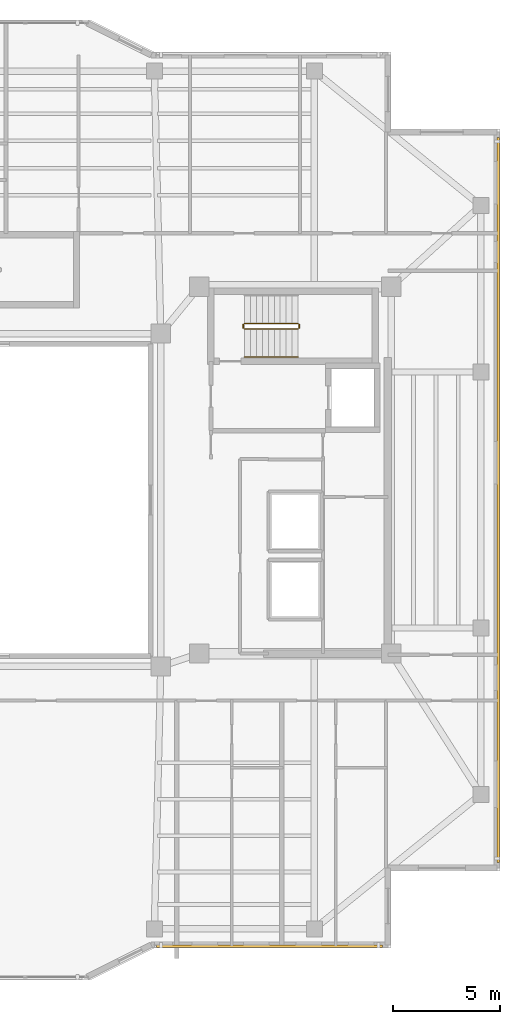
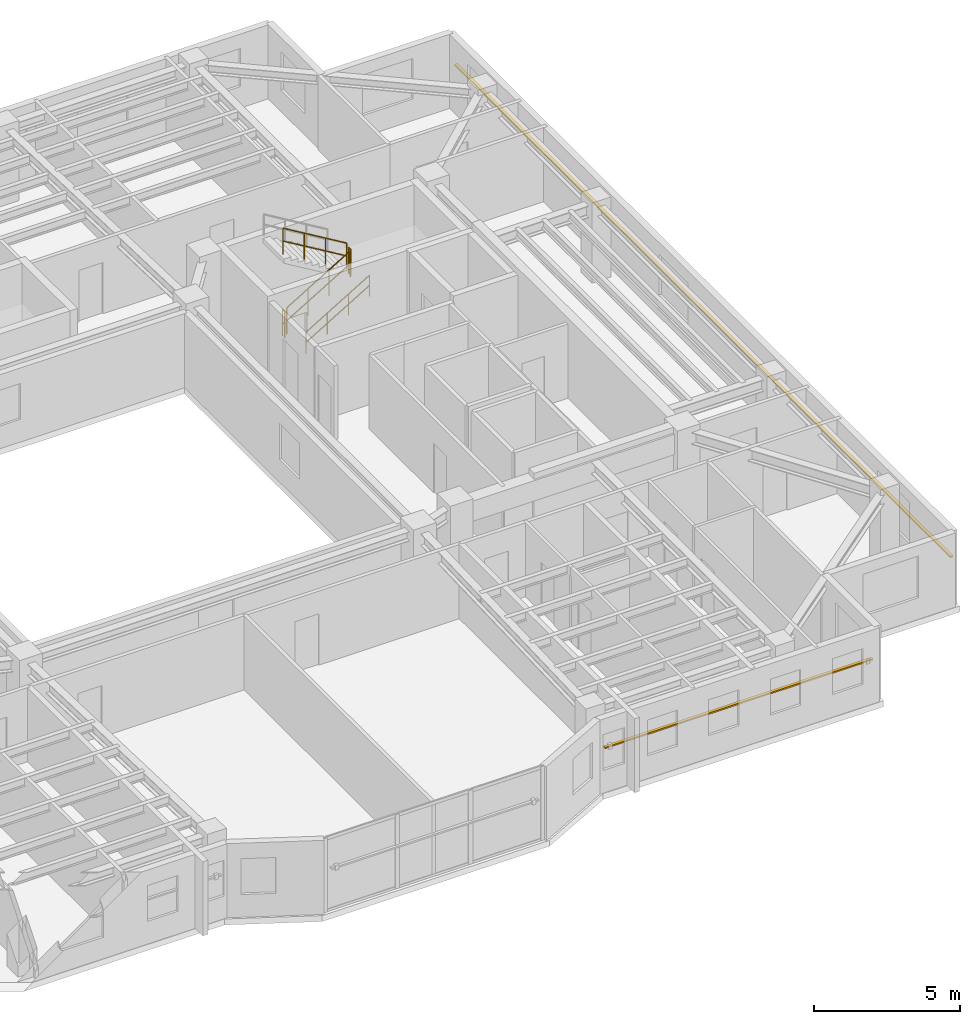
# One storey, part 12 of 13: 5 railings, 2 shading devices.
"""IFC4 building model written with IfcOpenShell, lengths in metres."""

from ifc_helpers import new_model, si_unit, direction, frame, origin, origin_2d, place, context, subcontext, project, spatial, rectangle, circle, extrude, material, material_profile, profile_set, type_object, element, save


model = new_model("IFC4")

# Units and contexts
model_context = context("Model", 3, precision=1e-05, world=origin(), true_north=direction((0.0, 1.0)))
body_context = subcontext(model_context, "Body", "Model", "MODEL_VIEW")
ifc_project = project(units=[si_unit("LENGTHUNIT", "METRE"), si_unit("AREAUNIT", "SQUARE_METRE"), si_unit("VOLUMEUNIT", "CUBIC_METRE"), si_unit("PLANEANGLEUNIT", "RADIAN"), si_unit("MASSUNIT", "GRAM", prefix="KILO")], contexts=[model_context])

# Site, building, storey
site_placement = place(None, origin())
site = spatial("IfcSite", under=ifc_project, at=site_placement, CompositionType="ELEMENT")
building_placement = place(site_placement, origin())
building = spatial("IfcBuilding", under=site, at=building_placement, Name="Tarnavaz Court Tower", CompositionType="ELEMENT")
storey_placement = place(building_placement, frame((0.0, 0.0, 196.949951171875)))
storey = spatial("IfcBuildingStorey", under=building, at=storey_placement, Name="L53", CompositionType="ELEMENT", Elevation=196.949951171875)

# Railings
ifc_material_1 = material(Name="Brushed Stainless Steel", Category="steel")
railing_type_1 = type_object("IfcRailingType", Name="RL-HANDRAIL-900", PredefinedType="HANDRAIL", material=ifc_material_1)
railing_1_placement = place(storey_placement, frame((11.719970703125, 6.699951171875, 0.16748046875)))
element("IfcRailing", 1, at=railing_1_placement, inside=storey, type_object=railing_type_1, Name="L53 ST-E1 stair handrail 1", PredefinedType="HANDRAIL", context=body_context, shape_type="SweptSolid", body=[
    extrude(circle(Radius=0.02392578125, at=origin_2d()), frame((0.0, 0.0, 0.8759765625), z_axis=(0.858159760407, 0.0, 0.513382728203), x_axis=(0.0, 1.0, 0.0)), (0.0, 0.0, 1.0), 2.9365234375),
    extrude(circle(Radius=0.02392578125, at=origin_2d()), frame((0.0, 0.0, 0.449951171875), z_axis=(0.858159760407, 0.0, 0.513382728203), x_axis=(0.0, 1.0, 0.0)), (0.0, 0.0, 1.0), 2.9365234375),
    extrude(circle(Radius=0.02099609375, at=origin_2d()), origin(), (0.0, 0.0, 1.0), 0.851806640625),
    extrude(circle(Radius=0.02099609375, at=origin_2d()), frame((0.840087890625, 0.0, 0.50244140625)), (0.0, 0.0, 1.0), 0.851806640625),
    extrude(circle(Radius=0.02099609375, at=origin_2d()), frame((1.679931640625, 0.0, 1.005126953125)), (0.0, 0.0, 1.0), 0.851806640625),
    extrude(circle(Radius=0.02099609375, at=origin_2d()), frame((2.52001953125, 0.0, 1.507568359375)), (0.0, 0.0, 1.0), 0.851806640625),
])
ifc_material_2 = material(Name="Galvanized Painted Tubular Steel", Category="steel")
railing_type_2 = type_object("IfcRailingType", Name="RL-STGUARD-1120", PredefinedType="GUARDRAIL", material=ifc_material_2)
railing_2_placement = place(storey_placement, frame((11.719970703125, 8.02001953125, 0.16748046875)))
element("IfcRailing", 2, at=railing_2_placement, inside=storey, type_object=railing_type_2, Name="L53 ST-E1 stair guard 1", PredefinedType="GUARDRAIL", context=body_context, shape_type="SweptSolid", body=[
    extrude(circle(Radius=0.02392578125, at=origin_2d()), frame((0.0, 0.0, 1.09619140625), z_axis=(0.858159760407, 0.0, 0.513382728203), x_axis=(0.0, 1.0, 0.0)), (0.0, 0.0, 1.0), 2.9365234375),
    extrude(circle(Radius=0.02392578125, at=origin_2d()), frame((0.0, 0.0, 0.56005859375), z_axis=(0.858159760407, 0.0, 0.513382728203), x_axis=(0.0, 1.0, 0.0)), (0.0, 0.0, 1.0), 2.9365234375),
    extrude(circle(Radius=0.02099609375, at=origin_2d()), origin(), (0.0, 0.0, 1.0), 1.072021484375),
    extrude(circle(Radius=0.02099609375, at=origin_2d()), frame((0.840087890625, 0.0, 0.50244140625)), (0.0, 0.0, 1.0), 1.072021484375),
    extrude(circle(Radius=0.02099609375, at=origin_2d()), frame((1.679931640625, 0.0, 1.005126953125)), (0.0, 0.0, 1.0), 1.072021484375),
    extrude(circle(Radius=0.02099609375, at=origin_2d()), frame((2.52001953125, 0.0, 1.507568359375)), (0.0, 0.0, 1.0), 1.072021484375),
])
railing_3_placement = place(storey_placement, frame((14.2900390625, 8.070068359375, 1.675048828125)))
element("IfcRailing", 3, at=railing_3_placement, inside=storey, type_object=railing_type_2, Name="L53 ST-E1 stair guard 2", PredefinedType="GUARDRAIL", context=body_context, shape_type="SweptSolid", body=[
    extrude(circle(Radius=0.02392578125, at=origin_2d()), frame((0.0, 0.0, 1.09619140625), z_axis=(0.0, 1.0, 0.0), x_axis=(-1.0, 0.0, 0.0)), (0.0, 0.0, 1.0), 0.14990234375),
    extrude(circle(Radius=0.02392578125, at=origin_2d()), frame((0.0, 0.0, 0.56005859375), z_axis=(0.0, 1.0, 0.0), x_axis=(-1.0, 0.0, 0.0)), (0.0, 0.0, 1.0), 0.14990234375),
    extrude(circle(Radius=0.02099609375, at=origin_2d()), origin(), (0.0, 0.0, 1.0), 1.072021484375),
    extrude(circle(Radius=0.02099609375, at=origin_2d()), frame((0.0, 0.14990234375, 0.0)), (0.0, 0.0, 1.0), 1.072021484375),
])
railing_4_placement = place(storey_placement, frame((14.239990234375, 8.27001953125, 1.842529296875)))
element("IfcRailing", 4, at=railing_4_placement, inside=storey, type_object=railing_type_2, Name="L53 ST-E1 stair guard 3", PredefinedType="GUARDRAIL", context=body_context, shape_type="SweptSolid", body=[
    extrude(circle(Radius=0.02392578125, at=origin_2d()), frame((0.0, 0.0, 1.09619140625), z_axis=(-0.858159760407, 0.0, 0.513382728203), x_axis=(0.0, -1.0, 0.0)), (0.0, 0.0, 1.0), 2.9365234375),
    extrude(circle(Radius=0.02392578125, at=origin_2d()), frame((0.0, 0.0, 0.56005859375), z_axis=(-0.858159760407, 0.0, 0.513382728203), x_axis=(0.0, -1.0, 0.0)), (0.0, 0.0, 1.0), 2.9365234375),
    extrude(circle(Radius=0.02099609375, at=origin_2d()), origin(), (0.0, 0.0, 1.0), 1.072021484375),
    extrude(circle(Radius=0.02099609375, at=origin_2d()), frame((-0.840087890625, 0.0, 0.50244140625)), (0.0, 0.0, 1.0), 1.072021484375),
    extrude(circle(Radius=0.02099609375, at=origin_2d()), frame((-1.679931640625, 0.0, 1.005126953125)), (0.0, 0.0, 1.0), 1.072021484375),
    extrude(circle(Radius=0.02099609375, at=origin_2d()), frame((-2.52001953125, 0.0, 1.507568359375)), (0.0, 0.0, 1.0), 1.072021484375),
])
railing_5_placement = place(storey_placement, frame((11.669921875, 8.070068359375, 0.0)))
element("IfcRailing", 5, at=railing_5_placement, inside=storey, type_object=railing_type_2, Name="L53 ST-E1 stair guard 4", PredefinedType="GUARDRAIL", context=body_context, shape_type="SweptSolid", body=[
    extrude(circle(Radius=0.02392578125, at=origin_2d()), frame((0.0, 0.0, 1.09619140625), z_axis=(0.0, 1.0, 0.0), x_axis=(-1.0, 0.0, 0.0)), (0.0, 0.0, 1.0), 0.14990234375),
    extrude(circle(Radius=0.02392578125, at=origin_2d()), frame((0.0, 0.0, 0.56005859375), z_axis=(0.0, 1.0, 0.0), x_axis=(-1.0, 0.0, 0.0)), (0.0, 0.0, 1.0), 0.14990234375),
    extrude(circle(Radius=0.02099609375, at=origin_2d()), origin(), (0.0, 0.0, 1.0), 1.072021484375),
    extrude(circle(Radius=0.02099609375, at=origin_2d()), frame((0.0, 0.14990234375, 0.0)), (0.0, 0.0, 1.0), 1.072021484375),
])

# Shading devices
ifc_material_3 = material(Name="Kiln-Fired Khorasan Terracotta Ceramic", Category="masonry")
ifc_material_profile = material_profile(ifc_material_3, rectangle(XDim=0.1201171875, YDim=0.06005859375, at=origin_2d()), Name="TC BAGUETTE 120X60")
ifc_profile_set = profile_set([ifc_material_profile], Name="Kiln-Fired Khorasan Terracotta Ceramic")
shading_device_type = type_object("IfcShadingDeviceType", Name="SD-BAG-120", PredefinedType="USERDEFINED", material=ifc_profile_set)
shading_device_1_placement = place(storey_placement, frame((23.610107421875, 17.0, 1.85009765625), z_axis=(0.0, -1.0, 0.0), x_axis=(1.0, 0.0, 0.0)))
element("IfcShadingDevice", 6, at=shading_device_1_placement, inside=storey, type_object=shading_device_type, Name="L53 Terracotta Baguette Screen FBG12", ObjectType="BAGUETTE", PredefinedType="USERDEFINED", context=body_context, shape_type="SweptSolid", body=[
    extrude(rectangle(XDim=0.1201171875, YDim=0.06005859375, at=origin_2d()), origin(), (0.0, 0.0, 1.0), 34.0),
])
shading_device_2_placement = place(storey_placement, frame((18.199951171875, -20.909912109375, 1.85009765625), z_axis=(-1.0, 0.0, 0.0), x_axis=(0.0, -1.0, 0.0)))
element("IfcShadingDevice", 7, at=shading_device_2_placement, inside=storey, type_object=shading_device_type, Name="L53 Terracotta Baguette Screen FBG15", ObjectType="BAGUETTE", PredefinedType="USERDEFINED", context=body_context, shape_type="SweptSolid", body=[
    extrude(rectangle(XDim=0.1201171875, YDim=0.06005859375, at=origin_2d()), origin(), (0.0, 0.0, 1.0), 10.599853515625),
])

save(model, "model.ifc")
